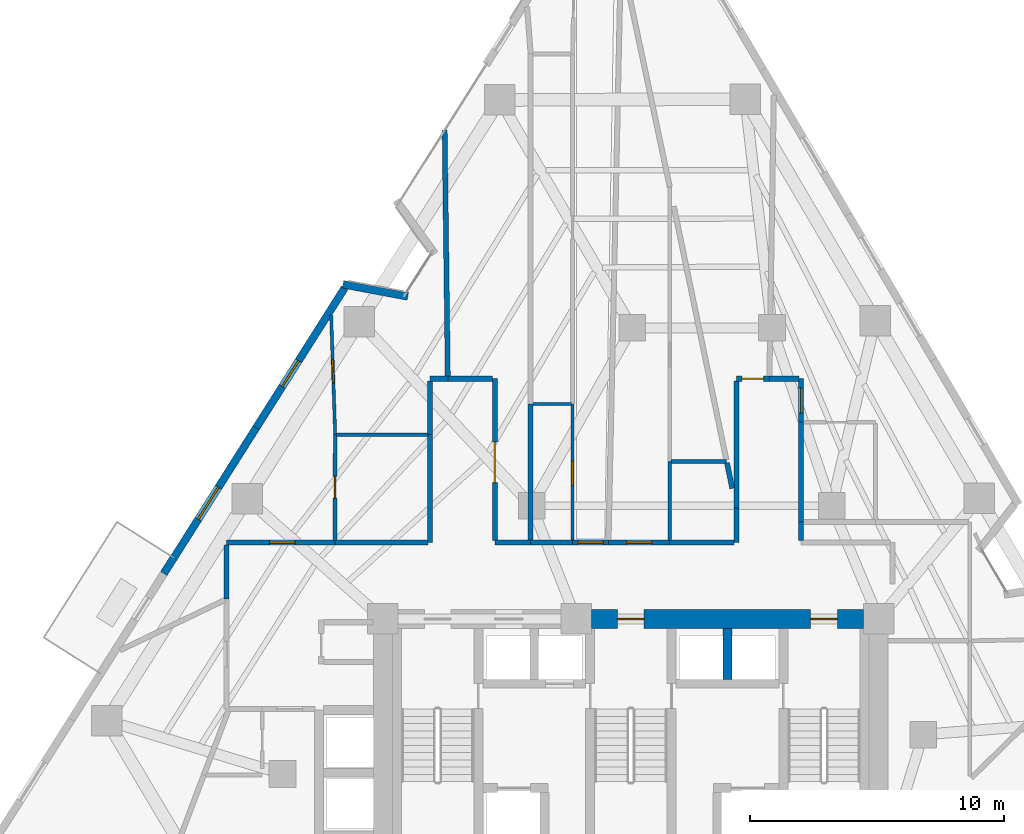
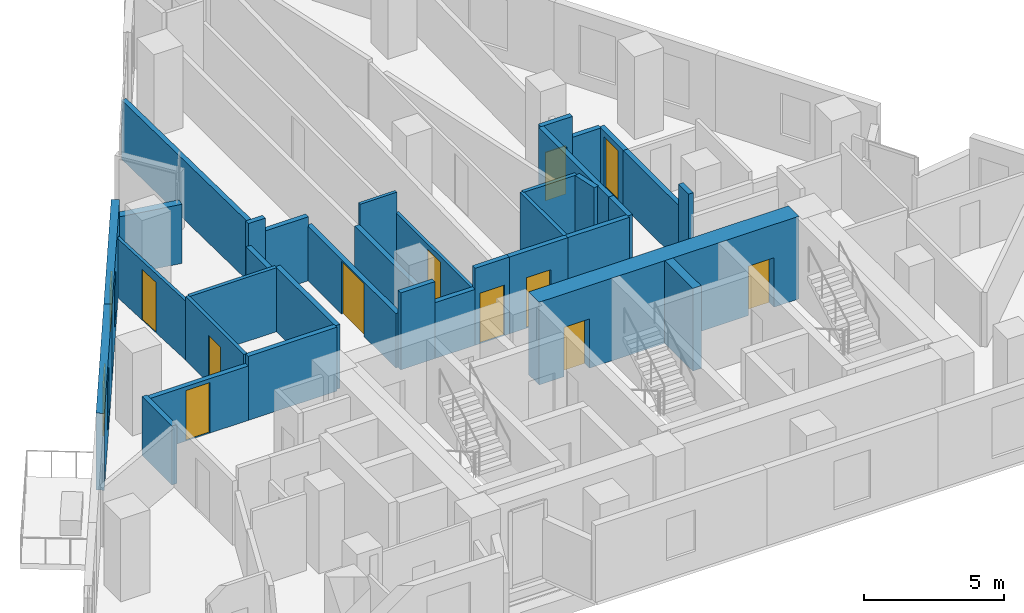
# One storey, part 8 of 12: 35 walls, 11 doors, 2 windows, 13 openings.
"""IFC4 building model written with IfcOpenShell, lengths in metres."""

from ifc_helpers import new_model, si_unit, direction, frame, frame_2d, origin, place, context, subcontext, project, spatial, rectangle, extrude, material, layer, layer_set, type_object, element, fill, save


model = new_model("IFC4")

# Units and contexts
model_context = context("Model", 3, precision=1e-05, world=origin(), true_north=direction((0.0, 1.0)))
body_context = subcontext(model_context, "Body", "Model", "MODEL_VIEW")
ifc_project = project(units=[si_unit("LENGTHUNIT", "METRE"), si_unit("AREAUNIT", "SQUARE_METRE"), si_unit("VOLUMEUNIT", "CUBIC_METRE"), si_unit("PLANEANGLEUNIT", "RADIAN"), si_unit("MASSUNIT", "GRAM", prefix="KILO")], contexts=[model_context])

# Site, building, storey
site_placement = place(None, origin())
site = spatial("IfcSite", under=ifc_project, at=site_placement, CompositionType="ELEMENT")
building_placement = place(site_placement, origin())
building = spatial("IfcBuilding", under=site, at=building_placement, Name="Almagre Mirador Tower", CompositionType="ELEMENT")
storey_placement = place(building_placement, frame((0.0, 0.0, 121.199951171875)))
storey = spatial("IfcBuildingStorey", under=building, at=storey_placement, Name="L30", CompositionType="ELEMENT", Elevation=121.199951171875)

# Wall
ifc_material_1 = material(Name="Precast concrete C50/60", Category="concrete")
ifc_layer_1 = layer(ifc_material_1, 0.300048828125)
ifc_layer_set_1 = layer_set([ifc_layer_1], Name="Precast concrete C50/60")
wall_type_1 = type_object("IfcWallType", Name="WAL-EXT-300", PredefinedType="SOLIDWALL", material=ifc_layer_set_1)
wall_1_placement = place(storey_placement, frame((25.977294921875, 27.914794921875, 0.0), z_axis=(0.0, 0.0, 1.0), x_axis=(0.982835939335, -0.184481750728, 0.0)))
element("IfcWall", 1, at=wall_1_placement, inside=storey, type_object=wall_type_1, Name="L30 expressed almagre precast frame wall 01", PredefinedType="SOLIDWALL", context=body_context, shape_type="SweptSolid", body=[
    extrude(rectangle(XDim=2.59375, YDim=0.300048828125, at=frame_2d((1.296875, 0.0))), origin(), (0.0, 0.0, 1.0), 2.574951171875),
])

# Wall, opening, window
wall_2_placement = place(storey_placement, frame((18.927001953125, 16.534423828125, 0.0), z_axis=(0.0, 0.0, 1.0), x_axis=(0.534886962815, 0.844923627916, 0.0)))
wall_2 = element("IfcWall", 2, at=wall_2_placement, inside=storey, type_object=wall_type_1, Name="L30 expressed almagre precast frame wall 34", PredefinedType="SOLIDWALL", context=body_context, shape_type="SweptSolid", body=[
    extrude(rectangle(XDim=6.78955078125, YDim=0.300048828125, at=frame_2d((3.394775390625, 0.0))), origin(), (0.0, 0.0, 1.0), 3.35009765625),
])
opening_1_placement = place(wall_2_placement, frame((2.52490234375, 0.0, 0.60009765625)))
opening_1 = element("IfcOpeningElement", 3, at=opening_1_placement, cuts=wall_2, Name="Opening WN-03", PredefinedType="OPENING", context=body_context, shape_type="SweptSolid", body=[
    extrude(rectangle(XDim=1.5, YDim=2.10009765625, at=frame_2d((0.75, 1.050048828125))), frame((0.0, 0.159902, 0.0), z_axis=(0.0, -1.0, 0.0), x_axis=(1.0, 0.0, 0.0)), (0.0, 0.0, 1.0), 0.320049),
])
ifc_material_2 = material(Name="Dark solar-control laminated hurricane glass", Category="glass")
window_type_1 = type_object("IfcWindowType", Name="WIN-1500X2100", PartitioningType="DOUBLE_PANEL_VERTICAL", PredefinedType="WINDOW", material=ifc_material_2)
window_1_placement = place(opening_1_placement, origin())
window_1 = element("IfcWindow", 4, at=window_1_placement, inside=storey, type_object=window_type_1, Name="L30 recessed hurricane window L30-UF-ST", OverallHeight=2.10009765625, OverallWidth=1.5, PartitioningType="SINGLE_PANEL", PredefinedType="WINDOW", context=body_context, shape_type="SweptSolid", body=[
    extrude(rectangle(XDim=1.5, YDim=2.10009765625, at=frame_2d((0.75, 1.050048828125))), frame((0.0, 0.030029296875, 0.0), z_axis=(0.0, -1.0, 0.0), x_axis=(1.0, 0.0, 0.0)), (0.0, 0.0, 1.0), 0.06005859375),
])
fill(opening_1, window_1)

wall_3_placement = place(storey_placement, frame((22.55859375, 22.27099609375, 0.0), z_axis=(0.0, 0.0, 1.0), x_axis=(0.534862000087, 0.844939430292, 0.0)))
wall_3 = element("IfcWall", 5, at=wall_3_placement, inside=storey, type_object=wall_type_1, Name="L30 expressed almagre precast frame wall 35", PredefinedType="SOLIDWALL", context=body_context, shape_type="SweptSolid", body=[
    extrude(rectangle(XDim=6.509033203125, YDim=0.300048828125, at=frame_2d((3.25439453125, 0.0))), origin(), (0.0, 0.0, 1.0), 3.35009765625),
])
opening_2_placement = place(wall_3_placement, frame((1.925048828125, 0.0, 0.800048828125)))
opening_2 = element("IfcOpeningElement", 6, at=opening_2_placement, cuts=wall_3, Name="Opening WN-04", PredefinedType="OPENING", context=body_context, shape_type="SweptSolid", body=[
    extrude(rectangle(XDim=1.199951171875, YDim=1.800048828125, at=frame_2d((0.60009765625, 0.89990234375))), frame((0.0, 0.159902, 0.0), z_axis=(0.0, -1.0, 0.0), x_axis=(1.0, 0.0, 0.0)), (0.0, 0.0, 1.0), 0.320049),
])
ifc_material_3 = material(Name="Dark solar-control laminated hurricane glass", Category="glass")
window_type_2 = type_object("IfcWindowType", Name="WIN-1200X1800", PartitioningType="SINGLE_PANEL", PredefinedType="WINDOW", material=ifc_material_3)
window_2_placement = place(opening_2_placement, origin())
window_2 = element("IfcWindow", 7, at=window_2_placement, inside=storey, type_object=window_type_2, Name="L30 recessed hurricane window L30-UF-ST", OverallHeight=1.800048828125, OverallWidth=1.199951171875, PartitioningType="SINGLE_PANEL", PredefinedType="WINDOW", context=body_context, shape_type="SweptSolid", body=[
    extrude(rectangle(XDim=1.199951171875, YDim=1.800048828125, at=frame_2d((0.60009765625, 0.89990234375))), frame((0.0, 0.030029296875, 0.0), z_axis=(0.0, -1.0, 0.0), x_axis=(1.0, 0.0, 0.0)), (0.0, 0.0, 1.0), 0.06005859375),
])
fill(opening_2, window_2)

# Wall, opening, door
ifc_material_4 = material(Name="Gypsum acoustic stud partition", Category="other")
ifc_layer_2 = layer(ifc_material_4, 0.125)
ifc_layer_set_2 = layer_set([ifc_layer_2], Name="Gypsum acoustic stud partition")
wall_type_2 = type_object("IfcWallType", Name="WAL-PRT-125-UTL", PredefinedType="PARTITIONING", material=ifc_layer_set_2)
wall_4_placement = place(storey_placement, frame((25.669921875, 22.0, 0.0), z_axis=(0.0, 0.0, 1.0), x_axis=(-0.033911276159, 0.999424847274, 0.0)))
wall_4 = element("IfcWall", 8, at=wall_4_placement, inside=storey, type_object=wall_type_2, Name="L30 interior partition 054", PredefinedType="PARTITIONING", context=body_context, shape_type="SweptSolid", body=[
    extrude(rectangle(XDim=4.715576171875, YDim=0.125, at=frame_2d((2.35791015625, 0.0))), origin(), (0.0, 0.0, 1.0), 2.570068359375),
])
opening_3_placement = place(wall_4_placement, frame((2.016845703125, 0.0, 0.0)))
opening_3 = element("IfcOpeningElement", 9, at=opening_3_placement, cuts=wall_4, Name="Opening UD-01", PredefinedType="OPENING", context=body_context, shape_type="SweptSolid", body=[
    extrude(rectangle(XDim=0.949951171875, YDim=2.199951171875, at=frame_2d((0.47509765625, 1.10009765625))), frame((0.0, 0.0725, 0.0), z_axis=(0.0, -1.0, 0.0), x_axis=(1.0, 0.0, 0.0)), (0.0, 0.0, 1.0), 0.145),
])
ifc_material_5 = material(Name="Solid American walnut timber", Category="wood")
door_type_1 = type_object("IfcDoorType", Name="DOR-UNR-950X2200", OperationType="NOTDEFINED", PredefinedType="DOOR", material=ifc_material_5)
door_1_placement = place(opening_3_placement, origin())
door_1 = element("IfcDoor", 10, at=door_1_placement, inside=storey, type_object=door_type_1, Name="DR-0997 L30 interior door L30-UF-ST to L30-UF-KT", OperationType="SINGLE_SWING_LEFT", OverallHeight=2.199951171875, OverallWidth=0.949951171875, PredefinedType="DOOR", context=body_context, shape_type="SweptSolid", body=[
    extrude(rectangle(XDim=0.949951171875, YDim=2.199951171875, at=frame_2d((0.47509765625, 1.10009765625))), frame((0.0, 0.02490234375, 0.0), z_axis=(0.0, -1.0, 0.0), x_axis=(1.0, 0.0, 0.0)), (0.0, 0.0, 1.0), 0.050048828125),
])
fill(opening_3, door_1)

wall_5_placement = place(storey_placement, frame((35.010009765625, 23.2099609375, 0.0), z_axis=(0.0, 0.0, 1.0), x_axis=(0.0, -1.0, 0.0)))
wall_5 = element("IfcWall", 11, at=wall_5_placement, inside=storey, type_object=wall_type_2, Name="L30 interior partition 072", PredefinedType="PARTITIONING", context=body_context, shape_type="SweptSolid", body=[
    extrude(rectangle(XDim=5.375, YDim=0.125, at=frame_2d((2.6875, 0.0))), origin(), (0.0, 0.0, 1.0), 2.43603515625),
])
opening_4_placement = place(wall_5_placement, frame((2.2548828125, 0.0, 0.0)))
opening_4 = element("IfcOpeningElement", 12, at=opening_4_placement, cuts=wall_5, Name="Opening UD-01", PredefinedType="OPENING", context=body_context, shape_type="SweptSolid", body=[
    extrude(rectangle(XDim=0.949951171875, YDim=2.199951171875, at=frame_2d((0.47509765625, 1.10009765625))), frame((0.0, 0.0725, 0.0), z_axis=(0.0, -1.0, 0.0), x_axis=(1.0, 0.0, 0.0)), (0.0, 0.0, 1.0), 0.145),
])
door_2_placement = place(opening_4_placement, origin())
door_2 = element("IfcDoor", 13, at=door_2_placement, inside=storey, type_object=door_type_1, Name="DR-1004 L30 interior door L30-UK-LV to L30-UK-KT", OperationType="SINGLE_SWING_RIGHT", OverallHeight=2.199951171875, OverallWidth=0.949951171875, PredefinedType="DOOR", context=body_context, shape_type="SweptSolid", body=[
    extrude(rectangle(XDim=0.949951171875, YDim=2.199951171875, at=frame_2d((0.47509765625, 1.10009765625))), frame((0.0, 0.02490234375, 0.0), z_axis=(0.0, -1.0, 0.0), x_axis=(1.0, 0.0, 0.0)), (0.0, 0.0, 1.0), 0.050048828125),
])
fill(opening_4, door_2)

# Wall
wall_6_placement = place(storey_placement, frame((34.96240234375, 23.2099609375, 0.0), z_axis=(0.0, 0.0, 1.0), x_axis=(-1.0, 0.0, 0.0)))
element("IfcWall", 14, at=wall_6_placement, inside=storey, type_object=wall_type_2, Name="L30 interior partition 075", PredefinedType="PARTITIONING", context=body_context, shape_type="SweptSolid", body=[
    extrude(rectangle(XDim=1.517333984375, YDim=0.125, at=frame_2d((0.7587890625, 0.0))), origin(), (0.0, 0.0, 1.0), 3.35009765625),
])

# Wall, opening, door
ifc_material_6 = material(Name="Gypsum acoustic stud partition", Category="other")
ifc_layer_3 = layer(ifc_material_6, 0.14990234375)
ifc_layer_set_3 = layer_set([ifc_layer_3], Name="Gypsum acoustic stud partition")
wall_type_3 = type_object("IfcWallType", Name="WAL-PRT-150-STD", PredefinedType="PARTITIONING", material=ifc_layer_set_3)
wall_7_placement = place(storey_placement, frame((25.66015625, 17.8349609375, 0.0), z_axis=(0.0, 0.0, 1.0), x_axis=(0.00234465944, 0.999997251282, 0.0)))
wall_7 = element("IfcWall", 15, at=wall_7_placement, inside=storey, type_object=wall_type_3, Name="L30 interior partition 053", PredefinedType="PARTITIONING", context=body_context, shape_type="SweptSolid", body=[
    extrude(rectangle(XDim=4.1650390625, YDim=0.14990234375, at=frame_2d((2.08251953125, 0.0))), origin(), (0.0, 0.0, 1.0), 2.787109375),
])
opening_5_placement = place(wall_7_placement, frame((1.6728515625, 0.0, 0.0)))
opening_5 = element("IfcOpeningElement", 16, at=opening_5_placement, cuts=wall_7, Name="Opening UD-04", PredefinedType="OPENING", context=body_context, shape_type="SweptSolid", body=[
    extrude(rectangle(XDim=0.85009765625, YDim=2.10009765625, at=frame_2d((0.425048828125, 1.050048828125))), frame((0.0, 0.084951, 0.0), z_axis=(0.0, -1.0, 0.0), x_axis=(1.0, 0.0, 0.0)), (0.0, 0.0, 1.0), 0.169902),
])
ifc_material_7 = material(Name="Moisture-resistant oak timber", Category="wood")
door_type_2 = type_object("IfcDoorType", Name="DOR-UNR-850X2100", OperationType="NOTDEFINED", PredefinedType="DOOR", material=ifc_material_7)
door_3_placement = place(opening_5_placement, origin())
door_3 = element("IfcDoor", 17, at=door_3_placement, inside=storey, type_object=door_type_2, Name="DR-0998 L30 interior door L30-UF-ST to L30-UF-BT", OperationType="SINGLE_SWING_RIGHT", OverallHeight=2.10009765625, OverallWidth=0.85009765625, PredefinedType="DOOR", context=body_context, shape_type="SweptSolid", body=[
    extrude(rectangle(XDim=0.85009765625, YDim=2.10009765625, at=frame_2d((0.425048828125, 1.050048828125))), frame((0.0, 0.02490234375, 0.0), z_axis=(0.0, -1.0, 0.0), x_axis=(1.0, 0.0, 0.0)), (0.0, 0.0, 1.0), 0.050048828125),
])
fill(opening_5, door_3)

# Walls
wall_8_placement = place(storey_placement, frame((29.31494140625, 22.0, 0.0), z_axis=(0.0, 0.0, 1.0), x_axis=(-1.0, 0.0, 0.0)))
element("IfcWall", 18, at=wall_8_placement, inside=storey, type_object=wall_type_3, Name="L30 interior partition 055", PredefinedType="PARTITIONING", context=body_context, shape_type="SweptSolid", body=[
    extrude(rectangle(XDim=3.5849609375, YDim=0.14990234375, at=frame_2d((1.79248046875, 0.0))), origin(), (0.0, 0.0, 1.0), 2.787109375),
])
wall_9_placement = place(storey_placement, frame((38.830078125, 17.8349609375, 0.0), z_axis=(0.0, 0.0, 1.0), x_axis=(0.0, 1.0, 0.0)))
element("IfcWall", 19, at=wall_9_placement, inside=storey, type_object=wall_type_3, Name="L30 interior partition 058", PredefinedType="PARTITIONING", context=body_context, shape_type="SweptSolid", body=[
    extrude(rectangle(XDim=3.114990234375, YDim=0.14990234375, at=frame_2d((1.5576171875, 0.0))), origin(), (0.0, 0.0, 1.0), 3.35009765625),
])
wall_10_placement = place(storey_placement, frame((38.87744140625, 20.949951171875, 0.0), z_axis=(0.0, 0.0, 1.0), x_axis=(1.0, 0.0, 0.0)))
element("IfcWall", 20, at=wall_10_placement, inside=storey, type_object=wall_type_3, Name="L30 interior partition 061", PredefinedType="PARTITIONING", context=body_context, shape_type="SweptSolid", body=[
    extrude(rectangle(XDim=2.192626953125, YDim=0.14990234375, at=frame_2d((1.09619140625, 0.0))), origin(), (0.0, 0.0, 1.0), 3.35009765625),
])
ifc_material_8 = material(Name="Gypsum acoustic stud partition", Category="other")
ifc_layer_4 = layer(ifc_material_8, 0.199951171875)
ifc_layer_set_4 = layer_set([ifc_layer_4], Name="Gypsum acoustic stud partition")
wall_type_4 = type_object("IfcWallType", Name="WAL-PRT-200-EI60", PredefinedType="PARTITIONING", material=ifc_layer_set_4)
wall_11_placement = place(storey_placement, frame((44.0, 17.8349609375, 0.0), z_axis=(0.0, 0.0, 1.0), x_axis=(0.0, 1.0, 0.0)))
element("IfcWall", 21, at=wall_11_placement, inside=storey, type_object=wall_type_4, Name="L30 interior partition 006", PredefinedType="PARTITIONING", context=body_context, shape_type="SweptSolid", body=[
    extrude(rectangle(XDim=0.72509765625, YDim=0.199951171875, at=frame_2d((0.362548828125, 0.0))), origin(), (0.0, 0.0, 1.0), 3.35009765625),
])

# Wall, opening, door
wall_12_placement = place(storey_placement, frame((25.669921875, 17.75, 0.0), z_axis=(0.0, 0.0, 1.0), x_axis=(-1.0, 0.0, 0.0)))
wall_12 = element("IfcWall", 22, at=wall_12_placement, inside=storey, type_object=wall_type_4, Name="L30 interior partition 007", PredefinedType="PARTITIONING", context=body_context, shape_type="SweptSolid", body=[
    extrude(rectangle(XDim=4.27001953125, YDim=0.199951171875, at=frame_2d((2.135009765625, 0.0))), origin(), (0.0, 0.0, 1.0), 2.3720703125),
])
opening_6_placement = place(wall_12_placement, frame((1.5751953125, 0.0, 0.0)))
opening_6 = element("IfcOpeningElement", 23, at=opening_6_placement, cuts=wall_12, Name="Opening ID-01", PredefinedType="OPENING", context=body_context, shape_type="SweptSolid", body=[
    extrude(rectangle(XDim=1.0, YDim=2.199951171875, at=frame_2d((0.5, 1.10009765625))), frame((0.0, 0.110098, 0.0), z_axis=(0.0, -1.0, 0.0), x_axis=(1.0, 0.0, 0.0)), (0.0, 0.0, 1.0), 0.219951),
])
ifc_material_9 = material(Name="Fire-rated walnut timber", Category="wood")
door_type_3 = type_object("IfcDoorType", Name="DOR-FD60-1000X2200", OperationType="NOTDEFINED", PredefinedType="DOOR", material=ifc_material_9)
door_4_placement = place(opening_6_placement, origin())
door_4 = element("IfcDoor", 24, at=door_4_placement, inside=storey, type_object=door_type_3, Name="DR-0996 L30 interior door L30-RCOR to L30-UF-ST", OperationType="SINGLE_SWING_RIGHT", OverallHeight=2.199951171875, OverallWidth=1.0, PredefinedType="DOOR", context=body_context, shape_type="SweptSolid", body=[
    extrude(rectangle(XDim=1.0, YDim=2.199951171875, at=frame_2d((0.5, 1.10009765625))), frame((0.0, 0.02490234375, 0.0), z_axis=(0.0, -1.0, 0.0), x_axis=(1.0, 0.0, 0.0)), (0.0, 0.0, 1.0), 0.050048828125),
])
fill(opening_6, door_4)

# Walls
wall_13_placement = place(storey_placement, frame((21.39990234375, 17.6650390625, 0.0), z_axis=(0.0, 0.0, 1.0), x_axis=(0.0, -1.0, 0.0)))
element("IfcWall", 25, at=wall_13_placement, inside=storey, type_object=wall_type_4, Name="L30 interior partition 008", PredefinedType="PARTITIONING", context=body_context, shape_type="SweptSolid", body=[
    extrude(rectangle(XDim=2.135009765625, YDim=0.199951171875, at=frame_2d((1.0673828125, 0.0))), origin(), (0.0, 0.0, 1.0), 2.570068359375),
])
wall_14_placement = place(storey_placement, frame((29.39990234375, 22.0, 0.0), z_axis=(0.0, 0.0, 1.0), x_axis=(0.0, -1.0, 0.0)))
element("IfcWall", 26, at=wall_14_placement, inside=storey, type_object=wall_type_4, Name="L30 interior partition 009", PredefinedType="PARTITIONING", context=body_context, shape_type="SweptSolid", body=[
    extrude(rectangle(XDim=4.25, YDim=0.199951171875, at=frame_2d((2.125, 0.0))), origin(), (0.0, 0.0, 1.0), 2.787109375),
])
wall_15_placement = place(storey_placement, frame((29.31494140625, 17.75, 0.0), z_axis=(0.0, 0.0, 1.0), x_axis=(-1.0, 0.0, 0.0)))
element("IfcWall", 27, at=wall_15_placement, inside=storey, type_object=wall_type_4, Name="L30 interior partition 010", PredefinedType="PARTITIONING", context=body_context, shape_type="SweptSolid", body=[
    extrude(rectangle(XDim=3.64501953125, YDim=0.199951171875, at=frame_2d((1.822509765625, 0.0))), origin(), (0.0, 0.0, 1.0), 2.787109375),
])
wall_16_placement = place(storey_placement, frame((30.10009765625, 24.199951171875, 0.0), z_axis=(0.0, 0.0, 1.0), x_axis=(-1.0, 0.0, 0.0)))
element("IfcWall", 28, at=wall_16_placement, inside=storey, type_object=wall_type_4, Name="L30 interior partition 011", PredefinedType="PARTITIONING", context=body_context, shape_type="SweptSolid", body=[
    extrude(rectangle(XDim=0.7001953125, YDim=0.199951171875, at=frame_2d((0.35009765625, 0.0))), origin(), (0.0, 0.0, 1.0), 3.35009765625),
])
wall_17_placement = place(storey_placement, frame((29.39990234375, 24.114990234375, 0.0), z_axis=(0.0, 0.0, 1.0), x_axis=(0.0, -1.0, 0.0)))
element("IfcWall", 29, at=wall_17_placement, inside=storey, type_object=wall_type_4, Name="L30 interior partition 012", PredefinedType="PARTITIONING", context=body_context, shape_type="SweptSolid", body=[
    extrude(rectangle(XDim=2.114990234375, YDim=0.199951171875, at=frame_2d((1.0576171875, 0.0))), origin(), (0.0, 0.0, 1.0), 2.3720703125),
])

# Wall, opening, door
wall_18_placement = place(storey_placement, frame((38.830078125, 17.75, 0.0), z_axis=(0.0, 0.0, 1.0), x_axis=(-1.0, 0.0, 0.0)))
wall_18 = element("IfcWall", 30, at=wall_18_placement, inside=storey, type_object=wall_type_4, Name="L30 interior partition 013", PredefinedType="PARTITIONING", context=body_context, shape_type="SweptSolid", body=[
    extrude(rectangle(XDim=2.41015625, YDim=0.199951171875, at=frame_2d((1.205078125, 0.0))), origin(), (0.0, 0.0, 1.0), 3.35009765625),
])
opening_7_placement = place(wall_18_placement, frame((0.705078125, 0.0, 0.0)))
opening_7 = element("IfcOpeningElement", 31, at=opening_7_placement, cuts=wall_18, Name="Opening ID-01", PredefinedType="OPENING", context=body_context, shape_type="SweptSolid", body=[
    extrude(rectangle(XDim=1.0, YDim=2.199951171875, at=frame_2d((0.5, 1.10009765625))), frame((0.0, 0.110098, 0.0), z_axis=(0.0, -1.0, 0.0), x_axis=(1.0, 0.0, 0.0)), (0.0, 0.0, 1.0), 0.219951),
])
door_5_placement = place(opening_7_placement, origin())
door_5 = element("IfcDoor", 32, at=door_5_placement, inside=storey, type_object=door_type_3, Name="DR-0999 L30 interior door L30-RCOR to L30-UG-ST", OperationType="SINGLE_SWING_LEFT", OverallHeight=2.199951171875, OverallWidth=1.0, PredefinedType="DOOR", context=body_context, shape_type="SweptSolid", body=[
    extrude(rectangle(XDim=1.0, YDim=2.199951171875, at=frame_2d((0.5, 1.10009765625))), frame((0.0, 0.02490234375, 0.0), z_axis=(0.0, -1.0, 0.0), x_axis=(1.0, 0.0, 0.0)), (0.0, 0.0, 1.0), 0.050048828125),
])
fill(opening_7, door_5)

# Walls
wall_19_placement = place(storey_placement, frame((41.449951171875, 19.110107421875, 0.0), z_axis=(0.0, 0.0, 1.0), x_axis=(0.0, -1.0, 0.0)))
element("IfcWall", 33, at=wall_19_placement, inside=storey, type_object=wall_type_4, Name="L30 interior partition 014", PredefinedType="PARTITIONING", context=body_context, shape_type="SweptSolid", body=[
    extrude(rectangle(XDim=1.360107421875, YDim=0.199951171875, at=frame_2d((0.68017578125, 0.0))), origin(), (0.0, 0.0, 1.0), 3.35009765625),
])
wall_20_placement = place(storey_placement, frame((41.364990234375, 17.75, 0.0), z_axis=(0.0, 0.0, 1.0), x_axis=(-1.0, 0.0, 0.0)))
element("IfcWall", 34, at=wall_20_placement, inside=storey, type_object=wall_type_4, Name="L30 interior partition 015", PredefinedType="PARTITIONING", context=body_context, shape_type="SweptSolid", body=[
    extrude(rectangle(XDim=2.534912109375, YDim=0.199951171875, at=frame_2d((1.267578125, 0.0))), origin(), (0.0, 0.0, 1.0), 3.35009765625),
])

# Wall, opening, door
wall_21_placement = place(storey_placement, frame((44.0, 22.489990234375, 0.0), z_axis=(0.0, 0.0, 1.0), x_axis=(0.0, 1.0, 0.0)))
wall_21 = element("IfcWall", 35, at=wall_21_placement, inside=storey, type_object=wall_type_4, Name="L30 interior partition 016", PredefinedType="PARTITIONING", context=body_context, shape_type="SweptSolid", body=[
    extrude(rectangle(XDim=1.7099609375, YDim=0.199951171875, at=frame_2d((0.85498046875, 0.0))), origin(), (0.0, 0.0, 1.0), 2.43603515625),
])
opening_8_placement = place(wall_21_placement, frame((0.35498046875, 0.0, 0.0)))
opening_8 = element("IfcOpeningElement", 36, at=opening_8_placement, cuts=wall_21, Name="Opening ID-01", PredefinedType="OPENING", context=body_context, shape_type="SweptSolid", body=[
    extrude(rectangle(XDim=1.0, YDim=2.199951171875, at=frame_2d((0.5, 1.10009765625))), frame((0.0, 0.110098, 0.0), z_axis=(0.0, -1.0, 0.0), x_axis=(1.0, 0.0, 0.0)), (0.0, 0.0, 1.0), 0.219951),
])
door_6_placement = place(opening_8_placement, origin())
door_6 = element("IfcDoor", 37, at=door_6_placement, inside=storey, type_object=door_type_3, Name="DR-1001 L30 interior door L30-RCOR to L30-UH-ST", OperationType="SINGLE_SWING_RIGHT", OverallHeight=2.199951171875, OverallWidth=1.0, PredefinedType="DOOR", context=body_context, shape_type="SweptSolid", body=[
    extrude(rectangle(XDim=1.0, YDim=2.199951171875, at=frame_2d((0.5, 1.10009765625))), frame((0.0, 0.02490234375, 0.0), z_axis=(0.0, -1.0, 0.0), x_axis=(1.0, 0.0, 0.0)), (0.0, 0.0, 1.0), 0.050048828125),
])
fill(opening_8, door_6)

# Walls
wall_22_placement = place(storey_placement, frame((43.9150390625, 24.199951171875, 0.0), z_axis=(0.0, 0.0, 1.0), x_axis=(-1.0, 0.0, 0.0)))
element("IfcWall", 38, at=wall_22_placement, inside=storey, type_object=wall_type_4, Name="L30 interior partition 017", PredefinedType="PARTITIONING", context=body_context, shape_type="SweptSolid", body=[
    extrude(rectangle(XDim=1.1650390625, YDim=0.199951171875, at=frame_2d((0.58251953125, 0.0))), origin(), (0.0, 0.0, 1.0), 2.43603515625),
])
wall_23_placement = place(storey_placement, frame((44.0, 18.56005859375, 0.0), z_axis=(0.0, 0.0, 1.0), x_axis=(0.0, 1.0, 0.0)))
element("IfcWall", 39, at=wall_23_placement, inside=storey, type_object=wall_type_4, Name="L30 interior partition 018", PredefinedType="PARTITIONING", context=body_context, shape_type="SweptSolid", body=[
    extrude(rectangle(XDim=3.929931640625, YDim=0.199951171875, at=frame_2d((1.96484375, 0.0))), origin(), (0.0, 0.0, 1.0), 2.43603515625),
])
wall_24_placement = place(storey_placement, frame((33.360107421875, 17.75, 0.0), z_axis=(0.0, 0.0, 1.0), x_axis=(-1.0, 0.0, 0.0)))
element("IfcWall", 40, at=wall_24_placement, inside=storey, type_object=wall_type_4, Name="L30 interior partition 019", PredefinedType="PARTITIONING", context=body_context, shape_type="SweptSolid", body=[
    extrude(rectangle(XDim=1.41015625, YDim=0.199951171875, at=frame_2d((0.705078125, 0.0))), origin(), (0.0, 0.0, 1.0), 3.35009765625),
])

# Wall, opening, door
wall_25_placement = place(storey_placement, frame((31.949951171875, 17.8349609375, 0.0), z_axis=(0.0, 0.0, 1.0), x_axis=(0.0, 1.0, 0.0)))
wall_25 = element("IfcWall", 41, at=wall_25_placement, inside=storey, type_object=wall_type_4, Name="L30 interior partition 020", PredefinedType="PARTITIONING", context=body_context, shape_type="SweptSolid", body=[
    extrude(rectangle(XDim=6.364990234375, YDim=0.199951171875, at=frame_2d((3.1826171875, 0.0))), origin(), (0.0, 0.0, 1.0), 2.3720703125),
])
opening_9_placement = place(wall_25_placement, frame((2.281494140625, 0.0, 0.0)))
opening_9 = element("IfcOpeningElement", 42, at=opening_9_placement, cuts=wall_25, Name="Opening ID-05", PredefinedType="OPENING", context=body_context, shape_type="SweptSolid", body=[
    extrude(rectangle(XDim=1.60009765625, YDim=2.300048828125, at=frame_2d((0.800048828125, 1.14990234375))), frame((0.0, 0.110098, 0.0), z_axis=(0.0, -1.0, 0.0), x_axis=(1.0, 0.0, 0.0)), (0.0, 0.0, 1.0), 0.219951),
])
ifc_material_10 = material(Name="Fire-rated acoustic timber", Category="wood")
door_type_4 = type_object("IfcDoorType", Name="DOR-FD60-1600X2300", OperationType="DOUBLE_DOOR_SINGLE_SWING", PredefinedType="DOOR", material=ifc_material_10)
door_7_placement = place(opening_9_placement, origin())
door_7 = element("IfcDoor", 43, at=door_7_placement, inside=storey, type_object=door_type_4, Name="DR-0988 L30 interior door L30-RCOR to L30-RST-J", OperationType="DOUBLE_DOOR_SINGLE_SWING", OverallHeight=2.300048828125, OverallWidth=1.60009765625, PredefinedType="DOOR", context=body_context, shape_type="SweptSolid", body=[
    extrude(rectangle(XDim=1.60009765625, YDim=2.300048828125, at=frame_2d((0.800048828125, 1.14990234375))), frame((0.0, 0.02490234375, 0.0), z_axis=(0.0, -1.0, 0.0), x_axis=(1.0, 0.0, 0.0)), (0.0, 0.0, 1.0), 0.050048828125),
])
fill(opening_9, door_7)

# Wall
wall_26_placement = place(storey_placement, frame((31.864990234375, 24.199951171875, 0.0), z_axis=(0.0, 0.0, 1.0), x_axis=(-1.0, 0.0, 0.0)))
element("IfcWall", 44, at=wall_26_placement, inside=storey, type_object=wall_type_4, Name="L30 interior partition 021", PredefinedType="PARTITIONING", context=body_context, shape_type="SweptSolid", body=[
    extrude(rectangle(XDim=1.764892578125, YDim=0.199951171875, at=frame_2d((0.88232421875, 0.0))), origin(), (0.0, 0.0, 1.0), 2.787109375),
])

# Wall, opening, door
wall_27_placement = place(storey_placement, frame((36.419921875, 17.75, 0.0), z_axis=(0.0, 0.0, 1.0), x_axis=(-1.0, 0.0, 0.0)))
wall_27 = element("IfcWall", 45, at=wall_27_placement, inside=storey, type_object=wall_type_4, Name="L30 interior partition 022", PredefinedType="PARTITIONING", context=body_context, shape_type="SweptSolid", body=[
    extrude(rectangle(XDim=1.409912109375, YDim=0.199951171875, at=frame_2d((0.705078125, 0.0))), origin(), (0.0, 0.0, 1.0), 3.35009765625),
])
opening_10_placement = place(wall_27_placement, frame((0.205078125, 0.0, 0.0)))
opening_10 = element("IfcOpeningElement", 46, at=opening_10_placement, cuts=wall_27, Name="Opening ID-01", PredefinedType="OPENING", context=body_context, shape_type="SweptSolid", body=[
    extrude(rectangle(XDim=1.0, YDim=2.199951171875, at=frame_2d((0.5, 1.10009765625))), frame((0.0, 0.110098, 0.0), z_axis=(0.0, -1.0, 0.0), x_axis=(1.0, 0.0, 0.0)), (0.0, 0.0, 1.0), 0.219951),
])
door_8_placement = place(opening_10_placement, origin())
door_8 = element("IfcDoor", 47, at=door_8_placement, inside=storey, type_object=door_type_3, Name="DR-1003 L30 interior door L30-RCOR to L30-UK-LV", OperationType="SINGLE_SWING_LEFT", OverallHeight=2.199951171875, OverallWidth=1.0, PredefinedType="DOOR", context=body_context, shape_type="SweptSolid", body=[
    extrude(rectangle(XDim=1.0, YDim=2.199951171875, at=frame_2d((0.5, 1.10009765625))), frame((0.0, 0.02490234375, 0.0), z_axis=(0.0, -1.0, 0.0), x_axis=(1.0, 0.0, 0.0)), (0.0, 0.0, 1.0), 0.050048828125),
])
fill(opening_10, door_8)

# Wall
wall_28_placement = place(storey_placement, frame((35.010009765625, 17.75, 0.0), z_axis=(0.0, 0.0, 1.0), x_axis=(-1.0, 0.0, 0.0)))
element("IfcWall", 48, at=wall_28_placement, inside=storey, type_object=wall_type_4, Name="L30 interior partition 023", PredefinedType="PARTITIONING", context=body_context, shape_type="SweptSolid", body=[
    extrude(rectangle(XDim=1.64990234375, YDim=0.199951171875, at=frame_2d((0.824951171875, 0.0))), origin(), (0.0, 0.0, 1.0), 2.43603515625),
])

# Wall, opening, door
wall_29_placement = place(storey_placement, frame((42.75, 24.199951171875, 0.0), z_axis=(0.0, 0.0, 1.0), x_axis=(-1.0, 0.0, 0.0)))
wall_29 = element("IfcWall", 49, at=wall_29_placement, inside=storey, type_object=wall_type_4, Name="L30 interior partition 024", PredefinedType="PARTITIONING", context=body_context, shape_type="SweptSolid", body=[
    extrude(rectangle(XDim=1.300048828125, YDim=0.199951171875, at=frame_2d((0.64990234375, 0.0))), origin(), (0.0, 0.0, 1.0), 3.35009765625),
])
opening_11_placement = place(wall_29_placement, frame((0.22509765625, 0.0, 0.0)))
opening_11 = element("IfcOpeningElement", 50, at=opening_11_placement, cuts=wall_29, Name="Opening ID-06", PredefinedType="OPENING", context=body_context, shape_type="SweptSolid", body=[
    extrude(rectangle(XDim=0.85009765625, YDim=2.10009765625, at=frame_2d((0.425048828125, 1.050048828125))), frame((0.0, 0.110098, 0.0), z_axis=(0.0, -1.0, 0.0), x_axis=(1.0, 0.0, 0.0)), (0.0, 0.0, 1.0), 0.219951),
])
ifc_material_11 = material(Name="Fire-rated hollow steel", Category="steel")
door_type_5 = type_object("IfcDoorType", Name="DOR-FD60-850X2100", OperationType="NOTDEFINED", PredefinedType="DOOR", material=ifc_material_11)
door_9_placement = place(opening_11_placement, origin())
door_9 = element("IfcDoor", 51, at=door_9_placement, inside=storey, type_object=door_type_5, Name="DR-0989 L30 interior door L30-RCOR to L30-RST-L", OperationType="SINGLE_SWING_LEFT", OverallHeight=2.10009765625, OverallWidth=0.85009765625, PredefinedType="DOOR", context=body_context, shape_type="SweptSolid", body=[
    extrude(rectangle(XDim=0.85009765625, YDim=2.10009765625, at=frame_2d((0.425048828125, 1.050048828125))), frame((0.0, 0.02490234375, 0.0), z_axis=(0.0, -1.0, 0.0), x_axis=(1.0, 0.0, 0.0)), (0.0, 0.0, 1.0), 0.050048828125),
])
fill(opening_11, door_9)

# Walls
wall_30_placement = place(storey_placement, frame((41.449951171875, 24.114990234375, 0.0), z_axis=(0.0, 0.0, 1.0), x_axis=(0.0, -1.0, 0.0)))
element("IfcWall", 52, at=wall_30_placement, inside=storey, type_object=wall_type_4, Name="L30 interior partition 025", PredefinedType="PARTITIONING", context=body_context, shape_type="SweptSolid", body=[
    extrude(rectangle(XDim=5.0048828125, YDim=0.199951171875, at=frame_2d((2.50244140625, 0.0))), origin(), (0.0, 0.0, 1.0), 3.35009765625),
])
wall_31_placement = place(storey_placement, frame((30.098876953125, 24.284912109375, 0.0), z_axis=(0.0, 0.0, 1.0), x_axis=(-0.012654984929, 0.999919922472, 0.0)))
element("IfcWall", 53, at=wall_31_placement, inside=storey, type_object=wall_type_4, Name="L30 interior partition 056", PredefinedType="PARTITIONING", context=body_context, shape_type="SweptSolid", body=[
    extrude(rectangle(XDim=9.703857421875, YDim=0.199951171875, at=frame_2d((4.85205078125, 0.0))), origin(), (0.0, 0.0, 1.0), 2.570068359375),
])
wall_32_placement = place(storey_placement, frame((41.2900390625, 19.885009765625, 0.0), z_axis=(0.0, 0.0, 1.0), x_axis=(-0.20246415957, 0.979289673227, 0.0)))
element("IfcWall", 54, at=wall_32_placement, inside=storey, type_object=wall_type_4, Name="L30 interior partition 063", PredefinedType="PARTITIONING", context=body_context, shape_type="SweptSolid", body=[
    extrude(rectangle(XDim=1.02734375, YDim=0.199951171875, at=frame_2d((0.513671875, 0.0))), origin(), (0.0, 0.0, 1.0), 3.35009765625),
])
wall_33_placement = place(storey_placement, frame((33.360107421875, 17.8349609375, 0.0), z_axis=(0.0, 0.0, 1.0), x_axis=(0.0, 1.0, 0.0)))
element("IfcWall", 55, at=wall_33_placement, inside=storey, type_object=wall_type_4, Name="L30 interior partition 069", PredefinedType="PARTITIONING", context=body_context, shape_type="SweptSolid", body=[
    extrude(rectangle(XDim=5.375, YDim=0.199951171875, at=frame_2d((2.6875, 0.0))), origin(), (0.0, 0.0, 1.0), 2.43603515625),
])
ifc_material_12 = material(Name="Concrete C60/75", Category="concrete")
ifc_layer_5 = layer(ifc_material_12, 0.35009765625)
ifc_layer_set_5 = layer_set([ifc_layer_5], Name="Concrete C60/75")
wall_type_5 = type_object("IfcWallType", Name="WAL-SHF-350", PredefinedType="SOLIDWALL", material=ifc_layer_set_5)
wall_34_placement = place(storey_placement, frame((41.10009765625, 12.375, 0.0), z_axis=(0.0, 0.0, 1.0), x_axis=(0.0, 1.0, 0.0)))
element("IfcWall", 56, at=wall_34_placement, inside=storey, type_object=wall_type_5, Name="L30 shaft wall PLH-M", PredefinedType="SOLIDWALL", context=body_context, shape_type="SweptSolid", body=[
    extrude(rectangle(XDim=2.0, YDim=0.35009765625, at=frame_2d((1.0, 0.0))), origin(), (0.0, 0.0, 1.0), 3.60009765625),
])

# Wall, openings, doors
ifc_material_13 = material(Name="Concrete C60/75", Category="concrete")
ifc_layer_6 = layer(ifc_material_13, 0.75)
ifc_layer_set_6 = layer_set([ifc_layer_6], Name="Concrete C60/75")
wall_type_6 = type_object("IfcWallType", Name="WAL-SHR-750", PredefinedType="SHEAR", material=ifc_layer_set_6)
wall_35_placement = place(storey_placement, frame((35.75, 14.75, 0.0), z_axis=(0.0, 0.0, 1.0), x_axis=(1.0, 0.0, 0.0)))
wall_35 = element("IfcWall", 57, at=wall_35_placement, inside=storey, type_object=wall_type_6, Name="L30 core shear wall N2", PredefinedType="SHEAR", context=body_context, shape_type="SweptSolid", body=[
    extrude(rectangle(XDim=10.699951171875, YDim=0.75, at=frame_2d((5.35009765625, 0.0))), origin(), (0.0, 0.0, 1.0), 3.60009765625),
])
opening_12_placement = place(wall_35_placement, frame((1.02490234375, 0.0, 0.0)))
opening_12 = element("IfcOpeningElement", 58, at=opening_12_placement, cuts=wall_35, Name="Opening SD-01", PredefinedType="OPENING", context=body_context, shape_type="SweptSolid", body=[
    extrude(rectangle(XDim=1.050048828125, YDim=2.14990234375, at=frame_2d((0.52490234375, 1.074951171875))), frame((0.0, 0.385, 0.0), z_axis=(0.0, -1.0, 0.0), x_axis=(1.0, 0.0, 0.0)), (0.0, 0.0, 1.0), 0.77),
])
opening_13_placement = place(wall_35_placement, frame((8.625, 0.0, 0.0)))
opening_13 = element("IfcOpeningElement", 59, at=opening_13_placement, cuts=wall_35, Name="Opening SD-01", PredefinedType="OPENING", context=body_context, shape_type="SweptSolid", body=[
    extrude(rectangle(XDim=1.050048828125, YDim=2.14990234375, at=frame_2d((0.52490234375, 1.074951171875))), frame((0.0, 0.385, 0.0), z_axis=(0.0, -1.0, 0.0), x_axis=(1.0, 0.0, 0.0)), (0.0, 0.0, 1.0), 0.77),
])
ifc_material_14 = material(Name="Fire-rated hollow steel", Category="steel")
door_type_6 = type_object("IfcDoorType", Name="DOR-ST-1050X2150", OperationType="NOTDEFINED", PredefinedType="DOOR", material=ifc_material_14)
door_10_placement = place(opening_12_placement, origin())
door_10 = element("IfcDoor", 60, at=door_10_placement, inside=storey, type_object=door_type_6, Name="DR-1012 L30 protected exit stair ST-2 door", OperationType="SINGLE_SWING_RIGHT", OverallHeight=2.14990234375, OverallWidth=1.050048828125, PredefinedType="DOOR", context=body_context, shape_type="SweptSolid", body=[
    extrude(rectangle(XDim=1.050048828125, YDim=2.14990234375, at=frame_2d((0.52490234375, 1.074951171875))), frame((0.0, 0.02490234375, 0.0), z_axis=(0.0, -1.0, 0.0), x_axis=(1.0, 0.0, 0.0)), (0.0, 0.0, 1.0), 0.050048828125),
])
fill(opening_12, door_10)
door_11_placement = place(opening_13_placement, origin())
door_11 = element("IfcDoor", 61, at=door_11_placement, inside=storey, type_object=door_type_6, Name="DR-1013 L30 protected exit stair ST-3 door", OperationType="SINGLE_SWING_LEFT", OverallHeight=2.14990234375, OverallWidth=1.050048828125, PredefinedType="DOOR", context=body_context, shape_type="SweptSolid", body=[
    extrude(rectangle(XDim=1.050048828125, YDim=2.14990234375, at=frame_2d((0.52490234375, 1.074951171875))), frame((0.0, 0.02490234375, 0.0), z_axis=(0.0, -1.0, 0.0), x_axis=(1.0, 0.0, 0.0)), (0.0, 0.0, 1.0), 0.050048828125),
])
fill(opening_13, door_11)

save(model, "model.ifc")
